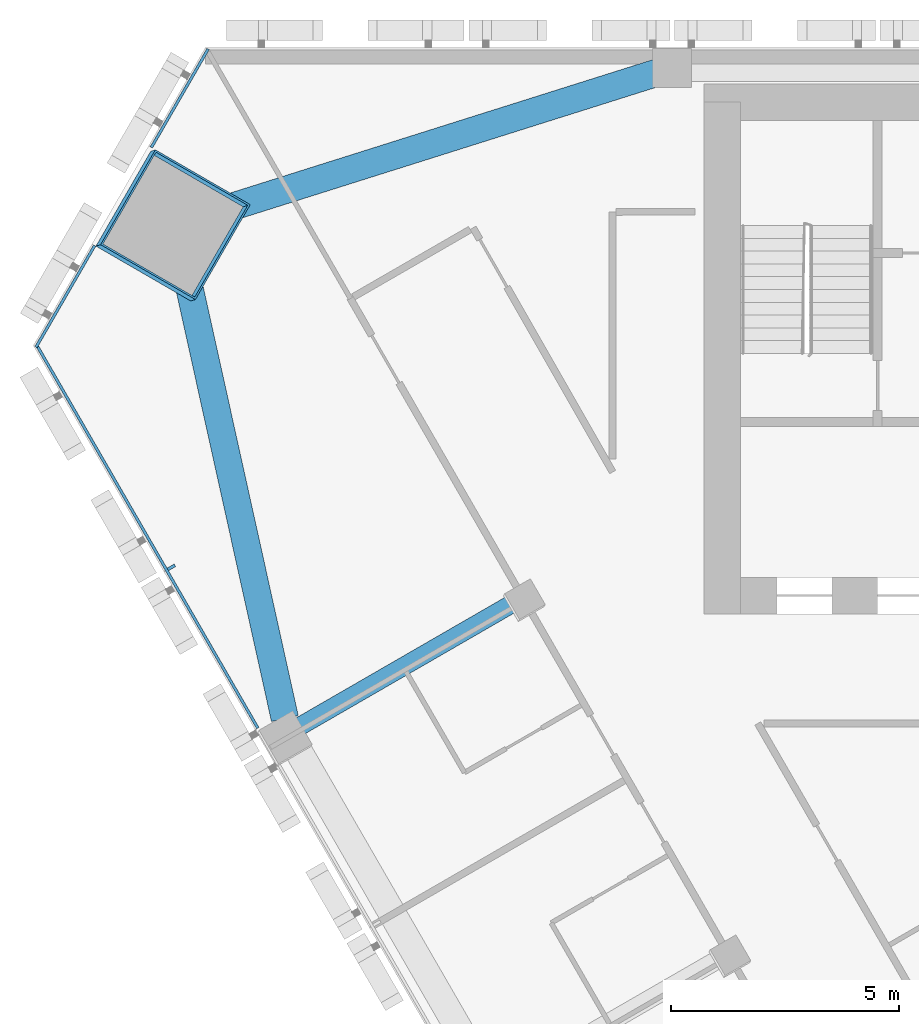
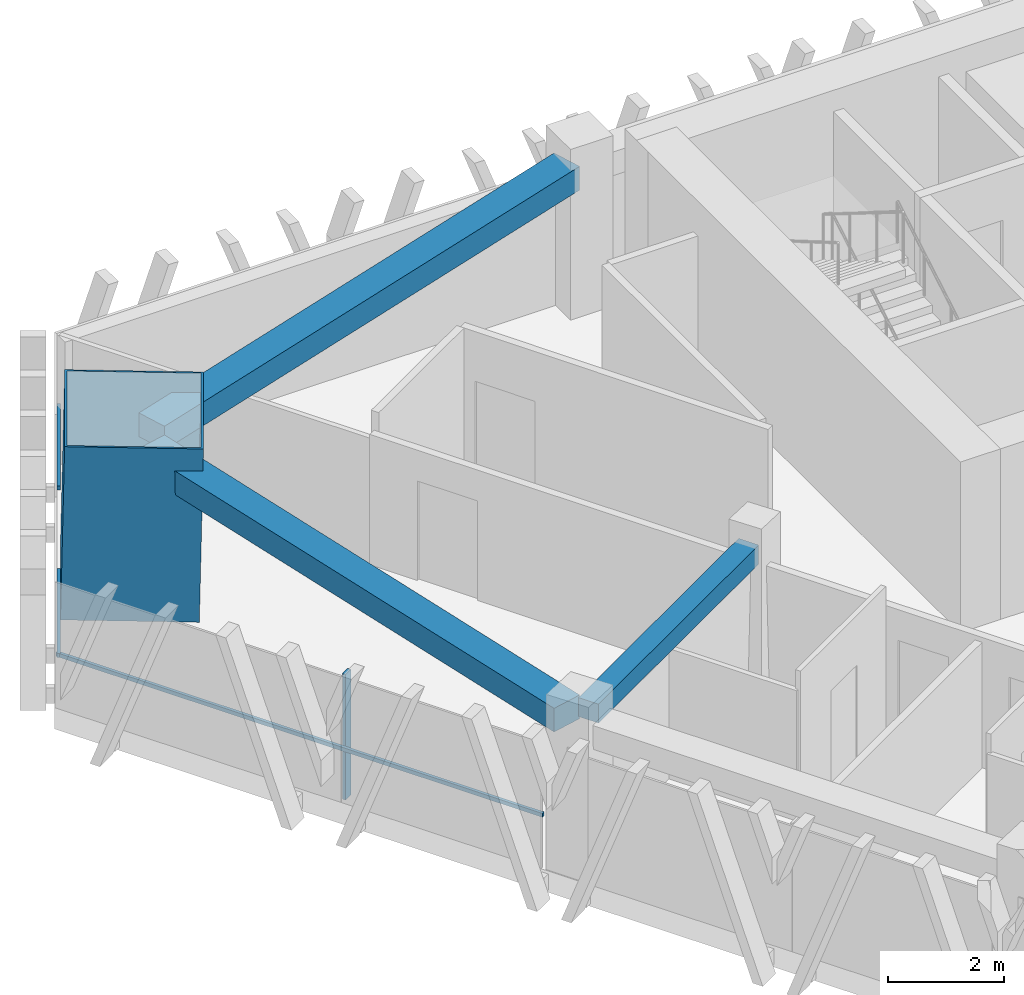
# One storey, part 5 of 15: 5 members, 3 beams, 2 elements without a shape of their own.
"""IFC4 building model written with IfcOpenShell, lengths in metres."""

from ifc_helpers import new_model, si_unit, direction, frame, origin, origin_2d, place, context, subcontext, project, spatial, rectangle, hollow_rectangle, extrude, material, layer, layer_set, material_profile, profile_set, type_object, element, aggregate, save


model = new_model("IFC4")

# Units and contexts
model_context = context("Model", 3, precision=1e-05, world=origin(), true_north=direction((0.0, 1.0)))
body_context = subcontext(model_context, "Body", "Model", "MODEL_VIEW")
ifc_project = project(units=[si_unit("LENGTHUNIT", "METRE"), si_unit("AREAUNIT", "SQUARE_METRE"), si_unit("VOLUMEUNIT", "CUBIC_METRE"), si_unit("PLANEANGLEUNIT", "RADIAN"), si_unit("MASSUNIT", "GRAM", prefix="KILO")], contexts=[model_context])

# Site, building, storey
site_placement = place(None, origin())
site = spatial("IfcSite", under=ifc_project, at=site_placement, CompositionType="ELEMENT")
building_placement = place(site_placement, origin())
building = spatial("IfcBuilding", under=site, at=building_placement, Name="Altiplano Prism Tower", CompositionType="ELEMENT")
storey_placement = place(building_placement, frame((0.0, 0.0, 142.199951171875)))
storey = spatial("IfcBuildingStorey", under=building, at=storey_placement, Name="L36", CompositionType="ELEMENT", Elevation=142.199951171875)

# Curtain wall, member
ifc_material_1 = material(Name="Aluminium and glass", Category="aluminium")
ifc_layer = layer(ifc_material_1, 0.280029296875)
ifc_layer_set = layer_set([ifc_layer], Name="Aluminium and glass")
curtain_wall_type = type_object("IfcCurtainWallType", Name="CW1 typical co-living unitised curtain wall", PredefinedType="NOTDEFINED", material=ifc_layer_set)
curtain_wall_1_placement = place(storey_placement, origin())
curtain_wall_1 = element("IfcCurtainWall", 1, at=curtain_wall_1_placement, inside=storey, type_object=curtain_wall_type, Name="CW1 curtain wall south-west face L36", PredefinedType="NOTDEFINED")
ifc_material_2 = material(Name="Aluminium", Category="aluminium")
ifc_material_profile_1 = material_profile(ifc_material_2, rectangle(XDim=0.179931640625, YDim=0.06494140625, at=origin_2d()), Name="CW1 mullion 65 x 180")
ifc_profile_set_1 = profile_set([ifc_material_profile_1], Name="Aluminium")
member_type_1 = type_object("IfcMemberType", Name="CW1 mullion 65 x 180", PredefinedType="MULLION", material=ifc_profile_set_1)
member_1_placement = place(storey_placement, frame((60.53759765625, 93.616943359375, 0.0), z_axis=(0.0, 0.0, 1.0), x_axis=(0.866025403278, 0.500000000877, 0.0)))
member_1 = element("IfcMember", 2, at=member_1_placement, type_object=member_type_1, Name="CW1 mullion", PredefinedType="MULLION", context=body_context, shape_type="SweptSolid", body=[
    extrude(rectangle(XDim=0.179931640625, YDim=0.06494140625, at=origin_2d()), origin(), (0.0, 0.0, 1.0), 2.650146484375),
])

# Curtain wall, members
curtain_wall_2_placement = place(storey_placement, origin())
curtain_wall_2 = element("IfcCurtainWall", 3, at=curtain_wall_2_placement, inside=storey, type_object=curtain_wall_type, Name="CW1 curtain wall north-west chamfer L36", PredefinedType="NOTDEFINED")
ifc_material_profile_2 = material_profile(ifc_material_2, rectangle(XDim=0.06005859375, YDim=0.080078125, at=origin_2d()), Name="CW1 transom 80 x 60")
ifc_profile_set_2 = profile_set([ifc_material_profile_2], Name="Aluminium")
member_type_2 = type_object("IfcMemberType", Name="CW1 transom 80 x 60", PredefinedType="USERDEFINED", material=ifc_profile_set_2)
member_2_placement = place(storey_placement, frame((61.34375, 104.965087890625, 1.10009765625), z_axis=(-0.499937591627, -0.866061432277, 0.0), x_axis=(0.866061432277, -0.499937591627, 0.0)))
member_2 = element("IfcMember", 4, at=member_2_placement, type_object=member_type_2, Name="CW1 transom", ObjectType="TRANSOM", PredefinedType="USERDEFINED", context=body_context, shape_type="SweptSolid", body=[
    extrude(rectangle(XDim=0.06005859375, YDim=0.080078125, at=origin_2d()), origin(), (0.0, 0.0, 1.0), 2.488525390625),
])
member_3_placement = place(storey_placement, frame((58.859619140625, 100.662109375, 1.10009765625), z_axis=(-0.499983011228, -0.866035212034, 0.0), x_axis=(0.866035212034, -0.499983011228, 0.0)))
member_3 = element("IfcMember", 5, at=member_3_placement, type_object=member_type_2, Name="CW1 transom", ObjectType="TRANSOM", PredefinedType="USERDEFINED", context=body_context, shape_type="SweptSolid", body=[
    extrude(rectangle(XDim=0.06005859375, YDim=0.080078125, at=origin_2d()), origin(), (0.0, 0.0, 1.0), 2.568359375),
])
aggregate(curtain_wall_2, [member_2, member_3])

# Member
member_4_placement = place(storey_placement, frame((57.575439453125, 98.5078125, 1.10009765625), z_axis=(0.499983569942, -0.866034889475, 0.0), x_axis=(0.866034889475, 0.499983569942, 0.0)))
member_4 = element("IfcMember", 6, at=member_4_placement, type_object=member_type_2, Name="CW1 transom", ObjectType="TRANSOM", PredefinedType="USERDEFINED", context=body_context, shape_type="SweptSolid", body=[
    extrude(rectangle(XDim=0.06005859375, YDim=0.080078125, at=origin_2d()), origin(), (0.0, 0.0, 1.0), 9.712158203125),
])

aggregate(curtain_wall_1, [member_1, member_4])

# Beams
ifc_material_3 = material(Name="Concrete C60/75", Category="concrete")
ifc_material_profile_3 = material_profile(ifc_material_3, rectangle(XDim=0.60009765625, YDim=0.5, at=origin_2d()), Name="Edge beam 600x500")
ifc_profile_set_3 = profile_set([ifc_material_profile_3], Name="Concrete C60/75")
beam_type_1 = type_object("IfcBeamType", Name="Edge beam 600x500", PredefinedType="SPANDREL", material=ifc_profile_set_3)
for number, where, z_axis, x_axis, name in (
    (7, (71.189453125, 104.451904296875, 2.900146484375), (-0.953669439101, -0.300856445709, 0.0), (0.300856445709, -0.953669439101, 0.0), "Edge beam P04-M0 L37"),
    (8, (60.724365234375, 100.680419921875, 2.900146484375), (0.216280841471, -0.976331192584, 0.0), (0.976331192584, 0.216280841471, 0.0), "Edge beam M0-P11 L37"),
):
    element("IfcBeam", number, at=place(storey_placement, frame(where, z_axis=z_axis, x_axis=x_axis)), inside=storey, type_object=beam_type_1, Name=name, PredefinedType="SPANDREL", context=body_context, shape_type="SweptSolid", body=[
        extrude(rectangle(XDim=0.60009765625, YDim=0.5, at=origin_2d()), origin(), (0.0, 0.0, 1.0), 10.62548828125),
    ])

# Member
ifc_material_4 = material(Name="Steel S460", Category="steel")
ifc_material_profile_4 = material_profile(ifc_material_4, hollow_rectangle(XDim=2.39990234375, YDim=2.39990234375, WallThickness=0.0400390625, at=origin_2d()), Name="Mega column tube 2400")
ifc_profile_set_4 = profile_set([ifc_material_profile_4], Name="Steel S460")
member_type_3 = type_object("IfcMemberType", Name="Mega column tube 2400", PredefinedType="POST", material=ifc_profile_set_4)
member_5_placement = place(storey_placement, frame((60.52490234375, 101.08642578125, 0.0), z_axis=(0.028334084323, 0.009218745139, 0.999555998633), x_axis=(-0.865470136815, 0.500564453885, 0.019916570694)))
element("IfcMember", 9, at=member_5_placement, inside=storey, type_object=member_type_3, Name="Mega column tube M0 L36", PredefinedType="POST", context=body_context, shape_type="SweptSolid", body=[
    extrude(hollow_rectangle(XDim=2.39990234375, YDim=2.39990234375, WallThickness=0.0400390625, at=origin_2d()), origin(), (0.0, 0.0, 1.0), 3.601806640625),
])

# Beam
ifc_material_profile_5 = material_profile(ifc_material_3, rectangle(XDim=0.39990234375, YDim=0.39990234375, at=origin_2d()), Name="Tie beam 400x400")
ifc_profile_set_5 = profile_set([ifc_material_profile_5], Name="Concrete C60/75")
beam_type_2 = type_object("IfcBeamType", Name="Tie beam 400x400", PredefinedType="BEAM", material=ifc_profile_set_5)
beam_placement = place(storey_placement, frame((68.15478515625, 92.910888671875, 2.949951171875), z_axis=(-0.866027073272, -0.499997108352, 0.0), x_axis=(0.499997108352, -0.866027073272, 0.0)))
element("IfcBeam", 10, at=beam_placement, inside=storey, type_object=beam_type_2, Name="Tie beam I11 L37", PredefinedType="BEAM", context=body_context, shape_type="SweptSolid", body=[
    extrude(rectangle(XDim=0.39990234375, YDim=0.39990234375, at=origin_2d()), origin(), (0.0, 0.0, 1.0), 5.5400390625),
])

save(model, "model.ifc")
